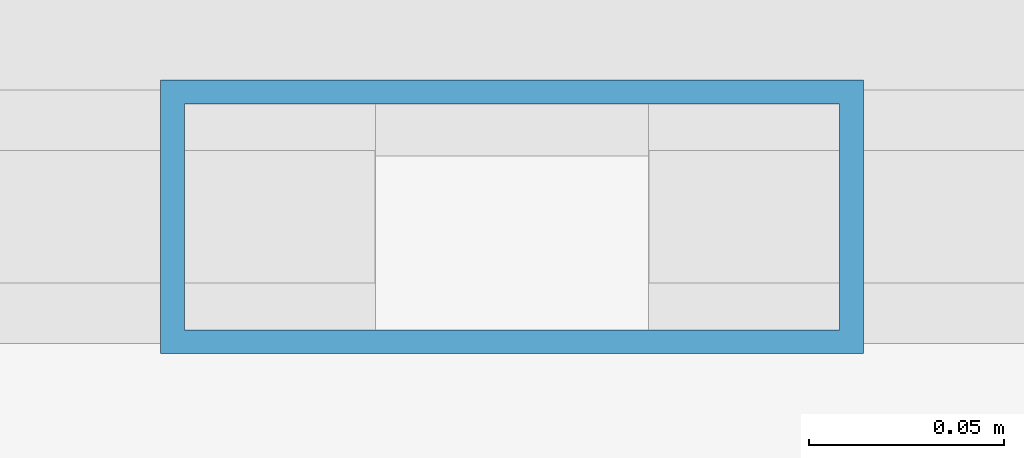
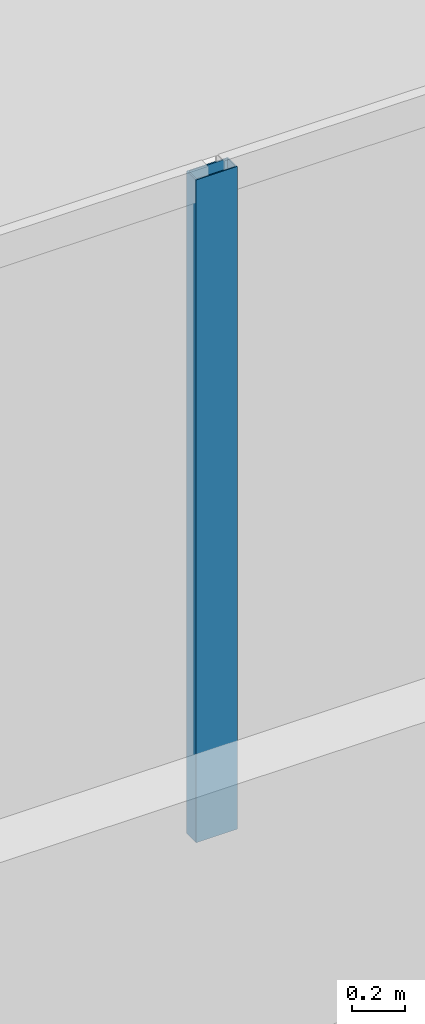
# One storey, part 5 of 32: 1 member, 1 element without a shape of its own.
"""IFC4 building model written with IfcOpenShell, lengths in metres."""

from ifc_helpers import new_model, si_unit, direction, frame, origin, origin_2d, place, context, subcontext, project, spatial, hollow_rectangle, extrude, source, transform, mapped, material, layer, layer_set, material_profile, profile_set, type_object, element, aggregate, save


model = new_model("IFC4")

# Units and contexts
model_context = context("Model", 3, precision=1e-05, world=origin(), true_north=direction((0.0, 1.0)))
body_context = subcontext(model_context, "Body", "Model", "MODEL_VIEW")
ifc_project = project(units=[si_unit("LENGTHUNIT", "METRE"), si_unit("AREAUNIT", "SQUARE_METRE"), si_unit("VOLUMEUNIT", "CUBIC_METRE"), si_unit("PLANEANGLEUNIT", "RADIAN"), si_unit("MASSUNIT", "GRAM", prefix="KILO")], contexts=[model_context])

# Site, building, storey
site_placement = place(None, origin())
site = spatial("IfcSite", under=ifc_project, at=site_placement, CompositionType="ELEMENT")
building_placement = place(site_placement, origin())
building = spatial("IfcBuilding", under=site, at=building_placement, Name="Sumidabori Civic Tower", CompositionType="ELEMENT")
storey_placement = place(building_placement, frame((0.0, 0.0, 298.199951171875)))
storey = spatial("IfcBuildingStorey", under=building, at=storey_placement, Name="RF Roof Crown", CompositionType="ELEMENT", Elevation=298.199951171875)

# Curtain wall, member
ifc_material = material(Name="Anodised Bronze Aluminium AW-6063-T6", Category="aluminium")
ifc_layer = layer(ifc_material, 0.179931640625, Name="Anodised Bronze Aluminium AW-6063-T6")
ifc_layer_set = layer_set([ifc_layer], Name="Anodised Bronze Aluminium AW-6063-T6")
curtain_wall_type = type_object("IfcCurtainWallType", Name="CW-SYS-6", PredefinedType="NOTDEFINED", material=ifc_layer_set)
curtain_wall_placement = place(storey_placement, origin())
curtain_wall = element("IfcCurtainWall", 1, at=curtain_wall_placement, inside=storey, type_object=curtain_wall_type, Name="Glass-Point Crown South Prow Curtain Wall", PredefinedType="NOTDEFINED")
ifc_material_profile = material_profile(ifc_material, hollow_rectangle(XDim=0.070068359375, YDim=0.179931640625, WallThickness=0.006103515625, at=origin_2d()), Name="ALU MULLION 180x70")
ifc_profile_set = profile_set([ifc_material_profile], Name="Anodised Bronze Aluminium AW-6063-T6")
member_type = type_object("IfcMemberType", Name="CW-MUL-180", PredefinedType="MULLION", material=ifc_profile_set)
shared_shape = source(origin(), body_context, "Body", "SweptSolid", [
    extrude(hollow_rectangle(XDim=0.070068359375, YDim=0.179931640625, WallThickness=0.006103515625, at=origin_2d()), origin(), (0.0, 0.0, 1.0), 3.050048828125),
])
member_placement = place(storey_placement, frame((0.0, -10.800048828125, 0.0), z_axis=(0.0, 0.0, 1.0), x_axis=(0.0, 1.0, 0.0)))
member = element("IfcMember", 2, at=member_placement, type_object=member_type, Name="CW-6 mullion 3", PredefinedType="MULLION", context=body_context, shape_type="MappedRepresentation", body=[
    mapped(shared_shape, transform((0.0, 0.0, 0.0), x_axis=(1.0, 0.0, 0.0), y_axis=(0.0, 1.0, 0.0), z_axis=(0.0, 0.0, 1.0), scale=1.0)),
])
aggregate(curtain_wall, [member])

save(model, "model.ifc")
